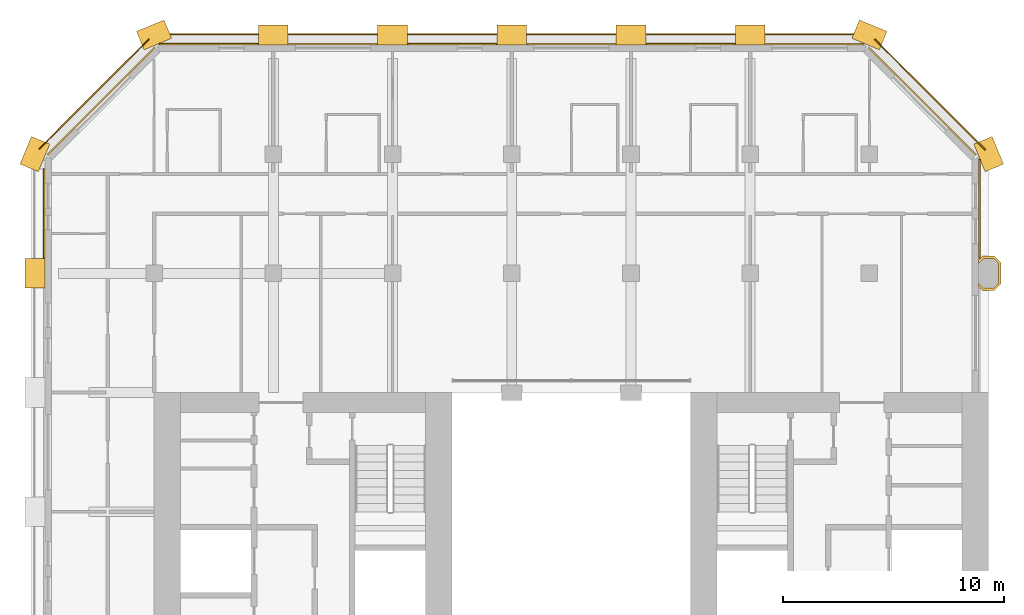
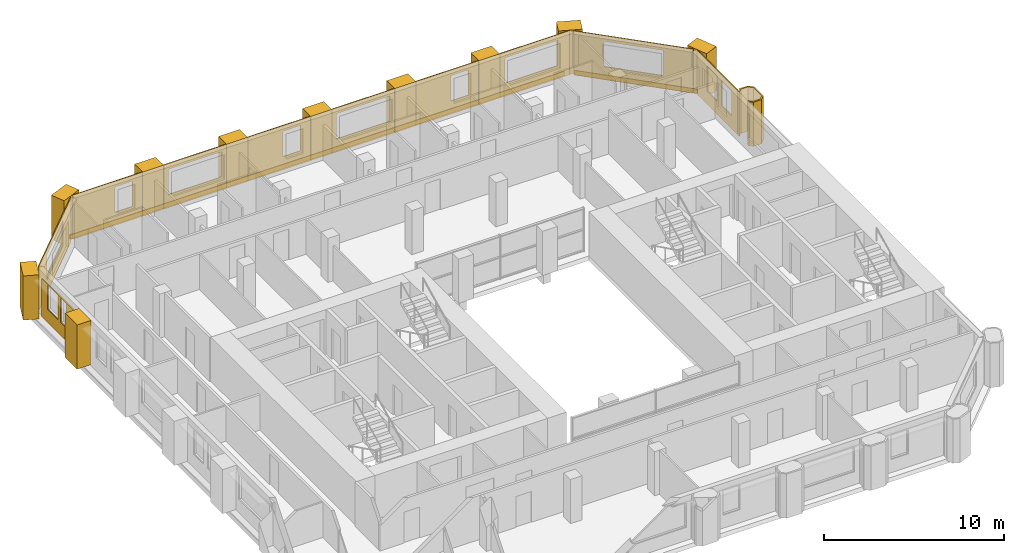
# One storey, part 14 of 14: 24 coverings.
"""IFC4 building model written with IfcOpenShell, lengths in metres."""

from ifc_helpers import new_model, si_unit, direction, frame, frame_2d, origin, place, context, subcontext, project, spatial, polyline, rectangle, outline, extrude, material, layer, layer_set, type_object, element, save


model = new_model("IFC4")

# Units and contexts
model_context = context("Model", 3, precision=1e-05, world=origin(), true_north=direction((0.0, 1.0)))
body_context = subcontext(model_context, "Body", "Model", "MODEL_VIEW")
ifc_project = project(units=[si_unit("LENGTHUNIT", "METRE"), si_unit("AREAUNIT", "SQUARE_METRE"), si_unit("VOLUMEUNIT", "CUBIC_METRE"), si_unit("PLANEANGLEUNIT", "RADIAN"), si_unit("MASSUNIT", "GRAM", prefix="KILO")], contexts=[model_context])

# Site, building, storey
site_placement = place(None, origin())
site = spatial("IfcSite", under=ifc_project, at=site_placement, CompositionType="ELEMENT")
building_placement = place(site_placement, origin())
building = spatial("IfcBuilding", under=site, at=building_placement, Name="Tabaq Tower and Sports Hall", CompositionType="ELEMENT")
storey_placement = place(building_placement, frame((0.0, 0.0, 226.89990234375)))
storey = spatial("IfcBuildingStorey", under=building, at=storey_placement, Name="L57", CompositionType="ELEMENT", Elevation=226.89990234375)

# Coverings
ifc_material_1 = material(Name="Precast concrete C60/75", Category="concrete")
ifc_layer_1 = layer(ifc_material_1, 0.10009765625)
ifc_layer_set_1 = layer_set([ifc_layer_1], Name="Column cladding 100")
covering_type_1 = type_object("IfcCoveringType", Name="Column cladding 100", PredefinedType="CLADDING", material=ifc_layer_set_1)
covering_1_placement = place(storey_placement, origin())
element("IfcCovering", 1, at=covering_1_placement, inside=storey, type_object=covering_type_1, Name="Column cladding L57 PC-9H-H3", PredefinedType="CLADDING", context=body_context, shape_type="SweptSolid", body=[
    extrude(outline(polyline([(42.93359375, 37.025390625), (42.750244140625, 37.208740234375), (42.750244140625, 37.349365234375), (42.974853515625, 37.124755859375), (43.425048828125, 37.124755859375), (43.650390625, 37.349853515625), (43.650390625, 38.250244140625), (43.425048828125, 38.475341796875), (42.974853515625, 38.475341796875), (42.750244140625, 38.250732421875), (42.750244140625, 38.391357421875), (42.93359375, 38.57470703125), (43.46630859375, 38.57470703125), (43.749755859375, 38.291259765625), (43.749755859375, 37.30859375), (43.46630859375, 37.025390625), (42.93359375, 37.025390625)])), origin(), (0.0, 0.0, 1.0), 3.0),
])
ifc_material_2 = material(Name="Precast concrete C60/75", Category="concrete")
ifc_layer_2 = layer(ifc_material_2, 0.06005859375)
ifc_layer_set_2 = layer_set([ifc_layer_2], Name="Edge beam cladding 60")
covering_type_2 = type_object("IfcCoveringType", Name="Edge beam cladding 60", PredefinedType="CLADDING", material=ifc_layer_set_2)
covering_2_placement = place(storey_placement, frame((43.04443359375, 43.39794921875, -0.2998046875), z_axis=(0.0, 0.0, 1.0), x_axis=(-0.707106781187, 0.707106781187, 0.0)))
element("IfcCovering", 2, at=covering_2_placement, inside=storey, type_object=covering_type_2, Name="Edge beam cladding L57 1", PredefinedType="CLADDING", context=body_context, shape_type="SweptSolid", body=[
    extrude(rectangle(XDim=7.08837890625, YDim=0.06005859375, at=frame_2d((3.544189453125, 0.0))), origin(), (0.0, 0.0, 1.0), 0.2998046875),
])
covering_3_placement = place(storey_placement, frame((37.50146484375, 48.6298828125, -0.2998046875), z_axis=(0.0, 0.0, 1.0), x_axis=(-1.0, 0.0, 0.0)))
element("IfcCovering", 3, at=covering_3_placement, inside=storey, type_object=covering_type_2, Name="Edge beam cladding L57 2", PredefinedType="CLADDING", context=body_context, shape_type="SweptSolid", body=[
    extrude(rectangle(XDim=31.802978515625, YDim=0.06005859375, at=frame_2d((15.9013671875, 0.0))), origin(), (0.0, 0.0, 1.0), 0.2998046875),
])
covering_4_placement = place(storey_placement, frame((5.167724609375, 48.41015625, -0.2998046875), z_axis=(0.0, 0.0, 1.0), x_axis=(-0.707106781187, -0.707106781187, 0.0)))
element("IfcCovering", 4, at=covering_4_placement, inside=storey, type_object=covering_type_2, Name="Edge beam cladding L57 3", PredefinedType="CLADDING", context=body_context, shape_type="SweptSolid", body=[
    extrude(rectangle(XDim=7.03955078125, YDim=0.06005859375, at=frame_2d((3.519775390625, 0.0))), origin(), (0.0, 0.0, 1.0), 0.2998046875),
])
ifc_material_3 = material(Name="White precast concrete C60/75", Category="concrete")
covering_type_3 = type_object("IfcCoveringType", Name="Pier cladding hung 1350x900", PredefinedType="CLADDING", material=ifc_material_3)
for number, where, z_axis, x_axis, name in (
    (5, (0.0, 38.47509765625, 0.0), (0.0, 0.0, 1.0), (0.0, -1.0, 0.0), "Hung pier cladding 0/7"),
    (6, (0.25830078125, 43.82373046875, 0.0), (0.0, 0.0, 1.0), (-0.382649923473, -0.923893411637, 0.0), "Hung pier cladding 0/8"),
    (7, (6.023681640625, 48.8583984375, 0.0), (0.0, 0.0, 1.0), (-0.923893411637, -0.382649923473, 0.0), "Hung pier cladding 1/9"),
    (8, (11.47509765625, 48.60009765625, 0.0), (0.0, 0.0, 1.0), (-1.0, 0.0, 0.0), "Hung pier cladding 2/9"),
    (9, (16.875, 48.60009765625, 0.0), (0.0, 0.0, 1.0), (-1.0, 0.0, 0.0), "Hung pier cladding 3/9"),
):
    element("IfcCovering", number, at=place(storey_placement, frame(where, z_axis=z_axis, x_axis=x_axis)), inside=storey, type_object=covering_type_3, Name=name, PredefinedType="CLADDING", context=body_context, shape_type="SweptSolid", body=[
        extrude(rectangle(XDim=1.35009765625, YDim=0.89990234375, at=frame_2d((0.675048828125, 0.0))), origin(), (0.0, 0.0, 1.0), 3.0),
    ])
covering_5_placement = place(storey_placement, frame((22.27490234375, 48.60009765625, 0.0), z_axis=(0.0, 0.0, 1.0), x_axis=(-1.0, 0.0, 0.0)))
element("IfcCovering", 10, at=covering_5_placement, inside=storey, type_object=covering_type_3, Name="Hung pier cladding 4/9", PredefinedType="CLADDING", context=body_context, shape_type="SweptSolid", body=[
    extrude(rectangle(XDim=1.349853515625, YDim=0.89990234375, at=frame_2d((0.6748046875, 0.0))), origin(), (0.0, 0.0, 1.0), 3.0),
])
covering_6_placement = place(storey_placement, frame((27.675048828125, 48.60009765625, 0.0), z_axis=(0.0, 0.0, 1.0), x_axis=(-1.0, 0.0, 0.0)))
element("IfcCovering", 11, at=covering_6_placement, inside=storey, type_object=covering_type_3, Name="Hung pier cladding 5/9", PredefinedType="CLADDING", context=body_context, shape_type="SweptSolid", body=[
    extrude(rectangle(XDim=1.35009765625, YDim=0.89990234375, at=frame_2d((0.675048828125, 0.0))), origin(), (0.0, 0.0, 1.0), 3.0),
])
covering_7_placement = place(storey_placement, frame((33.074951171875, 48.60009765625, 0.0), z_axis=(0.0, 0.0, 1.0), x_axis=(-1.0, 0.0, 0.0)))
element("IfcCovering", 12, at=covering_7_placement, inside=storey, type_object=covering_type_3, Name="Hung pier cladding 6/9", PredefinedType="CLADDING", context=body_context, shape_type="SweptSolid", body=[
    extrude(rectangle(XDim=1.349853515625, YDim=0.89990234375, at=frame_2d((0.6748046875, 0.0))), origin(), (0.0, 0.0, 1.0), 3.0),
])
for number, where, z_axis, x_axis, name in (
    (13, (38.423583984375, 48.341796875, 0.0), (0.0, 0.0, 1.0), (-0.923893411637, 0.382649923473, 0.0), "Hung pier cladding 7/9"),
    (14, (43.458251953125, 42.576416015625, 0.0), (0.0, 0.0, 1.0), (-0.382649923473, 0.923893411637, 0.0), "Hung pier cladding 8/8"),
):
    element("IfcCovering", number, at=place(storey_placement, frame(where, z_axis=z_axis, x_axis=x_axis)), inside=storey, type_object=covering_type_3, Name=name, PredefinedType="CLADDING", context=body_context, shape_type="SweptSolid", body=[
        extrude(rectangle(XDim=1.35009765625, YDim=0.89990234375, at=frame_2d((0.675048828125, 0.0))), origin(), (0.0, 0.0, 1.0), 3.0),
    ])
ifc_material_4 = material(Name="Precast concrete C60/75", Category="concrete")
ifc_layer_3 = layer(ifc_material_4, 0.06005859375)
ifc_layer_set_3 = layer_set([ifc_layer_3], Name="White precast cladding panel 60 C60/75")
covering_type_4 = type_object("IfcCoveringType", Name="White precast cladding panel 60 C60/75", PredefinedType="CLADDING", material=ifc_layer_set_3)
covering_8_placement = place(storey_placement, frame((42.780029296875, 38.485107421875, 0.0), z_axis=(0.0, 0.0, 1.0), x_axis=(0.0, 1.0, 0.0)))
element("IfcCovering", 15, at=covering_8_placement, inside=storey, type_object=covering_type_4, Name="White precast cladding panel L57 wall02-1 2", PredefinedType="CLADDING", context=body_context, shape_type="SweptSolid", body=[
    extrude(outline(polyline([(0.0, 0.0), (4.4716796875, 0.0), (4.4716796875, 3.0), (0.0, 3.0), (0.0, 0.0)]), holes=[polyline([(0.655029296875, 2.610107421875), (1.77490234375, 2.610107421875), (1.77490234375, 0.89013671875), (0.655029296875, 0.89013671875), (0.655029296875, 2.610107421875)]), polyline([(2.2548828125, 2.610107421875), (3.375, 2.610107421875), (3.375, 0.89013671875), (2.2548828125, 0.89013671875), (2.2548828125, 2.610107421875)])]), frame((0.0, 0.030029296875, 0.0), z_axis=(0.0, -1.0, 0.0), x_axis=(1.0, 0.0, 0.0)), (0.0, 0.0, 1.0), 0.06005859375),
])
covering_9_placement = place(storey_placement, frame((42.628173828125, 43.177734375, 0.0), z_axis=(0.0, 0.0, 1.0), x_axis=(-0.707088985397, 0.707124576528, 0.0)))
element("IfcCovering", 16, at=covering_9_placement, inside=storey, type_object=covering_type_4, Name="White precast cladding panel L57 wall03", PredefinedType="CLADDING", context=body_context, shape_type="SweptSolid", body=[
    extrude(outline(polyline([(0.0, 0.0), (6.859619140625, 0.0), (6.859619140625, 3.0), (0.0, 3.0), (0.0, 0.0)]), holes=[polyline([(1.7197265625, 0.89013671875), (1.7197265625, 2.610107421875), (5.139892578125, 2.610107421875), (5.139892578125, 0.89013671875), (1.7197265625, 0.89013671875)])]), frame((0.0, 0.030029296875, 0.0), z_axis=(0.0, -1.0, 0.0), x_axis=(1.0, 0.0, 0.0)), (0.0, 0.0, 1.0), 0.06005859375),
])
covering_10_placement = place(storey_placement, frame((37.556884765625, 48.179931640625, 0.0), z_axis=(0.0, 0.0, 1.0), x_axis=(-1.0, 0.0, 0.0)))
element("IfcCovering", 17, at=covering_10_placement, inside=storey, type_object=covering_type_4, Name="White precast cladding panel L57 wall04", PredefinedType="CLADDING", context=body_context, shape_type="SweptSolid", body=[
    extrude(outline(polyline([(0.0, 0.0), (4.471923828125, 0.0), (4.471923828125, 3.0), (0.0, 3.0), (0.0, 0.0)]), holes=[polyline([(0.746826171875, 0.89013671875), (0.746826171875, 2.610107421875), (4.166748046875, 2.610107421875), (4.166748046875, 0.89013671875), (0.746826171875, 0.89013671875)])]), frame((0.0, 0.030029296875, 0.0), z_axis=(0.0, -1.0, 0.0), x_axis=(1.0, 0.0, 0.0)), (0.0, 0.0, 1.0), 0.06005859375),
])
covering_11_placement = place(storey_placement, frame((31.715087890625, 48.179931640625, 0.0), z_axis=(0.0, 0.0, 1.0), x_axis=(-1.0, 0.0, 0.0)))
element("IfcCovering", 18, at=covering_11_placement, inside=storey, type_object=covering_type_4, Name="White precast cladding panel L57 wall04 2", PredefinedType="CLADDING", context=body_context, shape_type="SweptSolid", body=[
    extrude(outline(polyline([(0.0, 0.0), (4.030029296875, 0.0), (4.030029296875, 3.0), (0.0, 3.0), (0.0, 0.0)]), holes=[polyline([(0.655029296875, 0.89013671875), (0.655029296875, 2.610107421875), (1.77490234375, 2.610107421875), (1.77490234375, 0.89013671875), (0.655029296875, 0.89013671875)])]), frame((0.0, 0.030029296875, 0.0), z_axis=(0.0, -1.0, 0.0), x_axis=(1.0, 0.0, 0.0)), (0.0, 0.0, 1.0), 0.06005859375),
])
covering_12_placement = place(storey_placement, frame((26.31494140625, 48.179931640625, 0.0), z_axis=(0.0, 0.0, 1.0), x_axis=(-1.0, 0.0, 0.0)))
element("IfcCovering", 19, at=covering_12_placement, inside=storey, type_object=covering_type_4, Name="White precast cladding panel L57 wall04 3", PredefinedType="CLADDING", context=body_context, shape_type="SweptSolid", body=[
    extrude(outline(polyline([(0.0, 0.0), (4.030029296875, 0.0), (4.030029296875, 3.0), (0.0, 3.0), (0.0, 0.0)]), holes=[polyline([(0.304931640625, 0.89013671875), (0.304931640625, 2.610107421875), (3.72509765625, 2.610107421875), (3.72509765625, 0.89013671875), (0.304931640625, 0.89013671875)])]), frame((0.0, 0.030029296875, 0.0), z_axis=(0.0, -1.0, 0.0), x_axis=(1.0, 0.0, 0.0)), (0.0, 0.0, 1.0), 0.06005859375),
])
covering_13_placement = place(storey_placement, frame((20.9150390625, 48.179931640625, 0.0), z_axis=(0.0, 0.0, 1.0), x_axis=(-1.0, 0.0, 0.0)))
element("IfcCovering", 20, at=covering_13_placement, inside=storey, type_object=covering_type_4, Name="White precast cladding panel L57 wall04 4", PredefinedType="CLADDING", context=body_context, shape_type="SweptSolid", body=[
    extrude(outline(polyline([(0.0, 0.0), (4.030029296875, 0.0), (4.030029296875, 3.0), (0.0, 3.0), (0.0, 0.0)]), holes=[polyline([(0.655029296875, 0.89013671875), (0.655029296875, 2.610107421875), (1.77490234375, 2.610107421875), (1.77490234375, 0.89013671875), (0.655029296875, 0.89013671875)])]), frame((0.0, 0.030029296875, 0.0), z_axis=(0.0, -1.0, 0.0), x_axis=(1.0, 0.0, 0.0)), (0.0, 0.0, 1.0), 0.06005859375),
])
covering_14_placement = place(storey_placement, frame((15.514892578125, 48.179931640625, 0.0), z_axis=(0.0, 0.0, 1.0), x_axis=(-1.0, 0.0, 0.0)))
element("IfcCovering", 21, at=covering_14_placement, inside=storey, type_object=covering_type_4, Name="White precast cladding panel L57 wall04 5", PredefinedType="CLADDING", context=body_context, shape_type="SweptSolid", body=[
    extrude(outline(polyline([(0.0, 0.0), (4.02978515625, 0.0), (4.02978515625, 3.0), (0.0, 3.0), (0.0, 0.0)]), holes=[polyline([(0.304931640625, 0.89013671875), (0.304931640625, 2.610107421875), (3.72509765625, 2.610107421875), (3.72509765625, 0.89013671875), (0.304931640625, 0.89013671875)])]), frame((0.0, 0.030029296875, 0.0), z_axis=(0.0, -1.0, 0.0), x_axis=(1.0, 0.0, 0.0)), (0.0, 0.0, 1.0), 0.06005859375),
])
covering_15_placement = place(storey_placement, frame((10.114990234375, 48.179931640625, 0.0), z_axis=(0.0, 0.0, 1.0), x_axis=(-1.0, 0.0, 0.0)))
element("IfcCovering", 22, at=covering_15_placement, inside=storey, type_object=covering_type_4, Name="White precast cladding panel L57 wall04 6", PredefinedType="CLADDING", context=body_context, shape_type="SweptSolid", body=[
    extrude(outline(polyline([(0.0, 0.0), (4.471923828125, 0.0), (4.471923828125, 3.0), (0.0, 3.0), (0.0, 0.0)]), holes=[polyline([(0.655029296875, 0.89013671875), (0.655029296875, 2.610107421875), (1.77490234375, 2.610107421875), (1.77490234375, 0.89013671875), (0.655029296875, 0.89013671875)])]), frame((0.0, 0.030029296875, 0.0), z_axis=(0.0, -1.0, 0.0), x_axis=(1.0, 0.0, 0.0)), (0.0, 0.0, 1.0), 0.06005859375),
])
covering_16_placement = place(storey_placement, frame((5.42236328125, 48.0283203125, 0.0), z_axis=(0.0, 0.0, 1.0), x_axis=(-0.707106781187, -0.707106781187, 0.0)))
element("IfcCovering", 23, at=covering_16_placement, inside=storey, type_object=covering_type_4, Name="White precast cladding panel L57 wall05", PredefinedType="CLADDING", context=body_context, shape_type="SweptSolid", body=[
    extrude(outline(polyline([(0.0, 0.0), (6.85986328125, 0.0), (6.85986328125, 3.0), (0.0, 3.0), (0.0, 0.0)]), holes=[polyline([(1.7197265625, 0.89013671875), (1.7197265625, 2.610107421875), (5.139892578125, 2.610107421875), (5.139892578125, 0.89013671875), (1.7197265625, 0.89013671875)])]), frame((0.0, 0.030029296875, 0.0), z_axis=(0.0, -1.0, 0.0), x_axis=(1.0, 0.0, 0.0)), (0.0, 0.0, 1.0), 0.06005859375),
])
covering_17_placement = place(storey_placement, frame((0.419921875, 42.534912109375, 0.0), z_axis=(0.0, 0.0, 1.0), x_axis=(0.0, -1.0, 0.0)))
element("IfcCovering", 24, at=covering_17_placement, inside=storey, type_object=covering_type_4, Name="White precast cladding panel L57 wall06", PredefinedType="CLADDING", context=body_context, shape_type="SweptSolid", body=[
    extrude(outline(polyline([(0.0, 0.0), (4.0498046875, 0.0), (4.0498046875, 2.590087890625), (0.0, 2.590087890625), (0.0, 0.0)]), holes=[polyline([(0.675048828125, 0.89013671875), (0.675048828125, 2.56005859375), (1.794921875, 2.56005859375), (1.794921875, 0.89013671875), (0.675048828125, 0.89013671875)]), polyline([(2.10009765625, 0.89013671875), (2.10009765625, 2.56005859375), (2.77001953125, 2.56005859375), (2.77001953125, 0.89013671875), (2.10009765625, 0.89013671875)])]), frame((0.0, 0.030029296875, 0.0), z_axis=(0.0, -1.0, 0.0), x_axis=(1.0, 0.0, 0.0)), (0.0, 0.0, 1.0), 0.06005859375),
])

save(model, "model.ifc")
